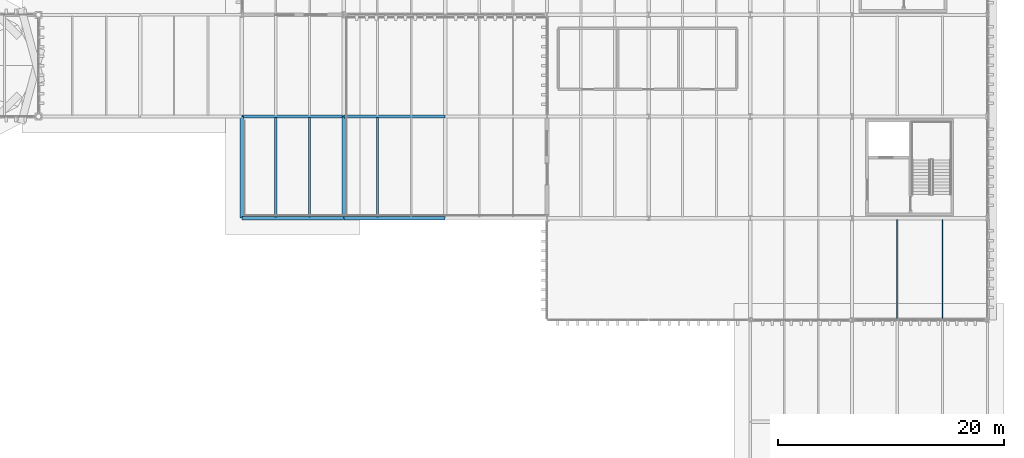
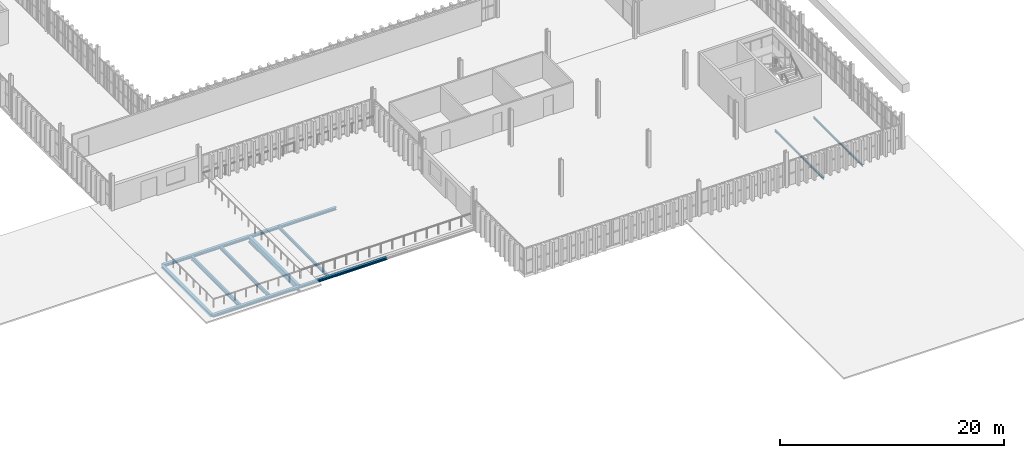
# One storey, part 31 of 102: 11 beams.
"""IFC4 building model written with IfcOpenShell, lengths in metres."""

import ifcopenshell
import ifcopenshell.guid

model = None  # the IFC model being written
_history = None  # IfcOwnerHistory: only IFC2X3 demands one
_inside = {}  # id of a spatial element -> (the spatial element, [elements in it])
_under = {}  # id of a project, library or spatial element -> (it, [spatial elements below it])
_declared = {}  # id of a project -> (the project, [libraries it declares])
_typed = {}  # id of a type object -> (the type object, [elements of that type])
_made_of = {}  # id of a material, layer set ... -> (it, [elements and type objects made of it])


def new_model(schema):
    """Start an empty IFC model of exactly this schema.

    Asked for "IFC4X3", IfcOpenShell would pick the latest addendum, in which some entities
    have other attributes; the version numbers below select the first issue.
    IFC2X3 requires an IfcOwnerHistory on every rooted entity: one is made here for all.
    """
    global model, _history
    if schema == "IFC4X3":
        model = ifcopenshell.file(schema_version=(4, 3, 0, 0))
    else:
        model = ifcopenshell.file(schema=schema)
    _inside.clear()
    _under.clear()
    _declared.clear()
    _typed.clear()
    _made_of.clear()
    _history = None
    if model.schema == "IFC2X3":
        org = make("IfcOrganization", Name="unknown")
        user = make(
            "IfcPersonAndOrganization",
            ThePerson=make("IfcPerson", FamilyName="unknown"),
            TheOrganization=org,
        )
        app = make(
            "IfcApplication",
            ApplicationDeveloper=org,
            Version="unknown",
            ApplicationFullName="unknown",
            ApplicationIdentifier="unknown",
        )
        _history = make(
            "IfcOwnerHistory",
            OwningUser=user,
            OwningApplication=app,
            ChangeAction="ADDED",
            CreationDate=0,
        )
    return model


def make(cls, **values):
    """One entity of the class cls with the attributes given. An attribute that is None is left unset."""
    return model.create_entity(
        cls, **{name: value for name, value in values.items() if value is not None}
    )


def rooted(cls, **values):
    """An entity with a GlobalId (a new one), such as an element, a storey or a relation."""
    return make(cls, GlobalId=ifcopenshell.guid.new(), OwnerHistory=_history, **values)


def si_unit(unit_type, name, prefix=None):
    """IfcSIUnit, for example si_unit("LENGTHUNIT", "METRE", prefix="MILLI")."""
    return make("IfcSIUnit", UnitType=unit_type, Prefix=prefix, Name=name)


def assignment(units):
    """IfcUnitAssignment: the units of a project."""
    return None if units is None else make("IfcUnitAssignment", Units=units)


def point(xyz):
    """IfcCartesianPoint."""
    return None if xyz is None else make("IfcCartesianPoint", Coordinates=xyz)


def direction(xyz):
    """IfcDirection."""
    return None if xyz is None else make("IfcDirection", DirectionRatios=xyz)


def frame(location, z_axis=None, x_axis=None):
    """IfcAxis2Placement3D, a coordinate frame: its origin and axes. An axis left out is left unset."""
    return make(
        "IfcAxis2Placement3D",
        Location=point(location),
        Axis=direction(z_axis),
        RefDirection=direction(x_axis),
    )


def frame_2d(location, x_axis=None):
    """IfcAxis2Placement2D, a coordinate frame in the plane: its origin and x axis."""
    return make(
        "IfcAxis2Placement2D", Location=point(location), RefDirection=direction(x_axis)
    )


def origin():
    """The frame at (0, 0, 0) with its axes left unset."""
    return frame((0.0, 0.0, 0.0))


def origin_2d():
    """The frame at (0, 0) in the plane with its x axis left unset."""
    return frame_2d((0.0, 0.0))


def place(relative_to, where):
    """IfcLocalPlacement: puts the frame where relative to a parent placement (None: the world)."""
    return make(
        "IfcLocalPlacement", PlacementRelTo=relative_to, RelativePlacement=where
    )


def context(
    kind, dimensions, precision=None, world=None, true_north=None, identifier=None
):
    """IfcGeometricRepresentationContext, for example the 3D "Model" context."""
    return make(
        "IfcGeometricRepresentationContext",
        ContextIdentifier=identifier,
        ContextType=kind,
        CoordinateSpaceDimension=dimensions,
        Precision=precision,
        WorldCoordinateSystem=world,
        TrueNorth=true_north,
    )


def subcontext(parent, identifier, kind, view, scale=None):
    """IfcGeometricRepresentationSubContext, for example "Body" below "Model"."""
    return make(
        "IfcGeometricRepresentationSubContext",
        ContextIdentifier=identifier,
        ContextType=kind,
        ParentContext=parent,
        TargetScale=scale,
        TargetView=view,
    )


def project(units=None, contexts=None):
    """IfcProject with its units and contexts."""
    return rooted(
        "IfcProject",
        Name="project",
        RepresentationContexts=contexts,
        UnitsInContext=assignment(units),
    )


def spatial(cls, under=None, at=None, **own):
    """A site, building, storey or space (cls), placed at a placement, below another one or the project."""
    s = rooted(cls, ObjectPlacement=at, **own)
    if under is not None:
        _under.setdefault(under.id(), (under, []))[1].append(s)
    return s


def profile(cls, at=None, kind="AREA", **sizes):
    """A parametric profile (cls). Its sizes go by their IFC names, for example OverallWidth=200.0."""
    return make(cls, ProfileType=kind, Position=at, **sizes)


def i_section(**sizes):
    """IfcIShapeProfileDef."""
    return profile("IfcIShapeProfileDef", **sizes)


def extrude(swept, where, along, depth):
    """IfcExtrudedAreaSolid: the profile swept, set in the frame where, extruded along a direction by depth."""
    return make(
        "IfcExtrudedAreaSolid",
        SweptArea=swept,
        Position=where,
        ExtrudedDirection=direction(along),
        Depth=depth,
    )


def shape(context_of_items, identifier, shape_type, items):
    """IfcShapeRepresentation: the items that make up one representation, for example the "Body"."""
    return make(
        "IfcShapeRepresentation",
        ContextOfItems=context_of_items,
        RepresentationIdentifier=identifier,
        RepresentationType=shape_type,
        Items=items,
    )


def material(Name=None, Category=None):
    """IfcMaterial."""
    return make("IfcMaterial", Name=Name, Category=Category)


def material_profile(
    of_material, cross_section, Name=None, Category=None, Priority=None
):
    """IfcMaterialProfile: a cross section and its material."""
    return make(
        "IfcMaterialProfile",
        Name=Name,
        Material=of_material,
        Profile=cross_section,
        Priority=Priority,
        Category=Category,
    )


def profile_set(profiles, Name=None, composite=None):
    """IfcMaterialProfileSet."""
    return make(
        "IfcMaterialProfileSet",
        Name=Name,
        MaterialProfiles=profiles,
        CompositeProfile=composite,
    )


def made_of(thing, what):
    """Note that an element or type object is made of a material, layer set ...; save() writes the relation."""
    if what is not None:
        _made_of.setdefault(what.id(), (what, []))[1].append(thing)
    return thing


def type_object(cls, material=None, **own):
    """A type object (cls), such as IfcWallType, which elements share."""
    return made_of(rooted(cls, **own), material)


def element(
    cls,
    number,
    at=None,
    inside=None,
    cuts=None,
    type_object=None,
    material=None,
    context=None,
    identifier="Body",
    shape_type=None,
    held_by="IfcProductDefinitionShape",
    body=None,
    shapes=None,
    **own,
):
    """One element of the class cls, such as IfcWall. Its Tag is "e" and its number.

    at: its placement. inside: the storey or other place that contains it. cuts: it is an
    opening in that element (IfcRelVoidsElement). A single representation is given by context,
    identifier, shape_type and body (its items); several are given by shapes. held_by: the class
    of the entity that holds the representations. save() writes the other relations.
    """
    e = rooted(cls, Tag="e%d" % number, ObjectPlacement=at, **own)
    if body is not None:
        shapes = [shape(context, identifier, shape_type, body)]
    if shapes is not None:
        e.Representation = make(held_by, Representations=shapes)
    if inside is not None:
        _inside.setdefault(inside.id(), (inside, []))[1].append(e)
    if cuts is not None:
        rooted(
            "IfcRelVoidsElement", RelatingBuildingElement=cuts, RelatedOpeningElement=e
        )
    if type_object is not None:
        _typed.setdefault(type_object.id(), (type_object, []))[1].append(e)
    return made_of(e, material)


def aggregate(whole, parts):
    """IfcRelAggregates: a whole, such as a stair, and the parts it consists of."""
    return rooted("IfcRelAggregates", RelatingObject=whole, RelatedObjects=parts)


def save(model, path):
    """Write the relations noted so far, then the file.

    IfcRelAggregates (storeys below a building ...), IfcRelContainedInSpatialStructure (elements
    in a storey), IfcRelDefinesByType, IfcRelAssociatesMaterial and IfcRelDeclares: one each for
    every whole, place, type object, material and project.
    """
    for whole, parts in _under.values():
        aggregate(whole, parts)
    for where, things in _inside.values():
        rooted(
            "IfcRelContainedInSpatialStructure",
            RelatedElements=things,
            RelatingStructure=where,
        )
    for kind, things in _typed.values():
        rooted("IfcRelDefinesByType", RelatedObjects=things, RelatingType=kind)
    for what, things in _made_of.values():
        rooted("IfcRelAssociatesMaterial", RelatedObjects=things, RelatingMaterial=what)
    for by, libraries in _declared.values():
        rooted("IfcRelDeclares", RelatingContext=by, RelatedDefinitions=libraries)
    model.write(path)


model = new_model("IFC4")

# Units and contexts
model_context = context("Model", 3, precision=1e-05, world=origin(), true_north=direction((0.0, 1.0)))
body_context = subcontext(model_context, "Body", "Model", "MODEL_VIEW")
ifc_project = project(units=[si_unit("LENGTHUNIT", "METRE"), si_unit("AREAUNIT", "SQUARE_METRE"), si_unit("VOLUMEUNIT", "CUBIC_METRE"), si_unit("PLANEANGLEUNIT", "RADIAN"), si_unit("MASSUNIT", "GRAM", prefix="KILO")], contexts=[model_context])

# Site, building, storey
site_placement = place(None, origin())
site = spatial("IfcSite", under=ifc_project, at=site_placement, CompositionType="ELEMENT")
building_placement = place(site_placement, origin())
building = spatial("IfcBuilding", under=site, at=building_placement, Name="Barlavento Convention Centre", CompositionType="ELEMENT")
storey_placement = place(building_placement, frame((0.0, 0.0, 22.800048828125)))
storey = spatial("IfcBuildingStorey", under=building, at=storey_placement, Name="L04", CompositionType="ELEMENT", Elevation=22.800048828125)

# Beams
ifc_material = material(Name="Steel S355", Category="steel")
ifc_material_profile_1 = material_profile(ifc_material, i_section(OverallWidth=0.110107421875, OverallDepth=0.219970703125, WebThickness=0.005859375, FlangeThickness=0.00927734375, FilletRadius=0.011962890625, at=origin_2d()), Name="IPE 220")
ifc_profile_set_1 = profile_set([ifc_material_profile_1], Name="Steel S355")
beam_type_1 = type_object("IfcBeamType", Name="STR-BM-JST-IPE220", PredefinedType="JOIST", material=ifc_profile_set_1)
beam_1_placement = place(storey_placement, frame((188.0, 27.094970703125, -0.47509765625), z_axis=(0.0, 1.0, 0.0), x_axis=(-1.0, 0.0, 0.0)))
element("IfcBeam", 1, at=beam_1_placement, inside=storey, type_object=beam_type_1, Name="L04 composite floor joist SJ10", PredefinedType="JOIST", context=body_context, shape_type="SweptSolid", body=[
    extrude(i_section(OverallWidth=0.110107421875, OverallDepth=0.219970703125, WebThickness=0.005859375, FlangeThickness=0.00927734375, FilletRadius=0.011962890625, at=origin_2d()), origin(), (0.0, 0.0, 1.0), 8.81005859375),
])
ifc_material_profile_2 = material_profile(ifc_material, i_section(OverallWidth=0.1201171875, OverallDepth=0.239990234375, WebThickness=0.006103515625, FlangeThickness=0.009765625, FilletRadius=0.014892578125, at=origin_2d()), Name="IPE 240")
ifc_profile_set_2 = profile_set([ifc_material_profile_2], Name="Steel S355")
beam_type_2 = type_object("IfcBeamType", Name="STR-BM-JST-IPE240", PredefinedType="JOIST", material=ifc_profile_set_2)
beam_2_placement = place(storey_placement, frame((184.0, 27.094970703125, -0.485107421875), z_axis=(0.0, 1.0, 0.0), x_axis=(-1.0, 0.0, 0.0)))
element("IfcBeam", 2, at=beam_2_placement, inside=storey, type_object=beam_type_2, Name="L04 composite floor joist SJ09", PredefinedType="JOIST", context=body_context, shape_type="SweptSolid", body=[
    extrude(i_section(OverallWidth=0.1201171875, OverallDepth=0.239990234375, WebThickness=0.006103515625, FlangeThickness=0.009765625, FilletRadius=0.014892578125, at=origin_2d()), origin(), (0.0, 0.0, 1.0), 8.81005859375),
])
ifc_material_profile_3 = material_profile(ifc_material, i_section(OverallWidth=0.159912109375, OverallDepth=0.330078125, WebThickness=0.007568359375, FlangeThickness=0.011474609375, FilletRadius=0.01806640625, at=origin_2d()), Name="IPE 330")
ifc_profile_set_3 = profile_set([ifc_material_profile_3], Name="Steel S355")
beam_type_3 = type_object("IfcBeamType", Name="STR-BM-JST-IPE330", PredefinedType="JOIST", material=ifc_profile_set_3)
beam_3_placement = place(storey_placement, frame((138.0, 36.094970703125, -0.425048828125), z_axis=(0.0, 1.0, 0.0), x_axis=(-1.0, 0.0, 0.0)))
element("IfcBeam", 3, at=beam_3_placement, inside=storey, type_object=beam_type_3, Name="L04 composite floor joist SJ06", PredefinedType="JOIST", context=body_context, shape_type="SweptSolid", body=[
    extrude(i_section(OverallWidth=0.159912109375, OverallDepth=0.330078125, WebThickness=0.007568359375, FlangeThickness=0.011474609375, FilletRadius=0.01806640625, at=origin_2d()), origin(), (0.0, 0.0, 1.0), 8.81005859375),
])
ifc_material_profile_4 = material_profile(ifc_material, i_section(OverallWidth=0.179931640625, OverallDepth=0.39990234375, WebThickness=0.008544921875, FlangeThickness=0.013427734375, FilletRadius=0.02099609375, at=origin_2d()), Name="IPE 400")
ifc_profile_set_4 = profile_set([ifc_material_profile_4], Name="Steel S355")
beam_type_4 = type_object("IfcBeamType", Name="STR-BM-JST-IPE400", PredefinedType="JOIST", material=ifc_profile_set_4)
beam_4_placement = place(storey_placement, frame((132.0, 36.094970703125, -0.545166015625), z_axis=(0.0, 1.0, 0.0), x_axis=(-1.0, 0.0, 0.0)))
element("IfcBeam", 4, at=beam_4_placement, inside=storey, type_object=beam_type_4, Name="L04 composite floor joist SJ04", PredefinedType="JOIST", context=body_context, shape_type="SweptSolid", body=[
    extrude(i_section(OverallWidth=0.179931640625, OverallDepth=0.39990234375, WebThickness=0.008544921875, FlangeThickness=0.013427734375, FilletRadius=0.02099609375, at=origin_2d()), origin(), (0.0, 0.0, 1.0), 8.81005859375),
])
ifc_material_profile_5 = material_profile(ifc_material, i_section(OverallWidth=0.18994140625, OverallDepth=0.449951171875, WebThickness=0.009521484375, FlangeThickness=0.0146484375, FilletRadius=0.02099609375, at=origin_2d()), Name="IPE 450")
ifc_profile_set_5 = profile_set([ifc_material_profile_5], Name="Steel S355")
beam_type_5 = type_object("IfcBeamType", Name="STR-BM-JST-IPE450", PredefinedType="JOIST", material=ifc_profile_set_5)
beam_5_placement = place(storey_placement, frame((129.0, 36.094970703125, -0.570068359375), z_axis=(0.0, 1.0, 0.0), x_axis=(-1.0, 0.0, 0.0)))
element("IfcBeam", 5, at=beam_5_placement, inside=storey, type_object=beam_type_5, Name="L04 composite floor joist SJ03", PredefinedType="JOIST", context=body_context, shape_type="SweptSolid", body=[
    extrude(i_section(OverallWidth=0.18994140625, OverallDepth=0.449951171875, WebThickness=0.009521484375, FlangeThickness=0.0146484375, FilletRadius=0.02099609375, at=origin_2d()), origin(), (0.0, 0.0, 1.0), 8.81005859375),
])
ifc_material_profile_6 = material_profile(ifc_material, i_section(OverallWidth=0.300048828125, OverallDepth=0.639892578125, WebThickness=0.013427734375, FlangeThickness=0.02587890625, FilletRadius=0.027099609375, at=origin_2d()), Name="HEA 650")
ifc_profile_set_6 = profile_set([ifc_material_profile_6], Name="Steel S355")
beam_type_6 = type_object("IfcBeamType", Name="STR-BM-PRI-HEA650", PredefinedType="BEAM", material=ifc_profile_set_6)
beam_6_placement = place(storey_placement, frame((135.0, 36.02001953125, -0.6650390625), z_axis=(0.0, 1.0, 0.0), x_axis=(-1.0, 0.0, 0.0)))
element("IfcBeam", 6, at=beam_6_placement, inside=storey, type_object=beam_type_6, Name="L04 grid girder BG17", PredefinedType="BEAM", context=body_context, shape_type="SweptSolid", body=[
    extrude(i_section(OverallWidth=0.300048828125, OverallDepth=0.639892578125, WebThickness=0.013427734375, FlangeThickness=0.02587890625, FilletRadius=0.027099609375, at=origin_2d()), origin(), (0.0, 0.0, 1.0), 8.9599609375),
])
ifc_material_profile_7 = material_profile(ifc_material, i_section(OverallWidth=0.280029296875, OverallDepth=0.280029296875, WebThickness=0.010498046875, FlangeThickness=0.01806640625, FilletRadius=0.02392578125, at=origin_2d()), Name="HEB 280")
ifc_profile_set_7 = profile_set([ifc_material_profile_7], Name="Steel S355")
beam_type_7 = type_object("IfcBeamType", Name="STR-BM-PRI-HEB280", PredefinedType="BEAM", material=ifc_profile_set_7)
beam_7_placement = place(storey_placement, frame((135.02001953125, 45.0, -0.485107421875), z_axis=(1.0, 0.0, 0.0), x_axis=(0.0, 1.0, 0.0)))
element("IfcBeam", 7, at=beam_7_placement, inside=storey, type_object=beam_type_7, Name="L04 primary girder BG15", PredefinedType="BEAM", context=body_context, shape_type="SweptSolid", body=[
    extrude(i_section(OverallWidth=0.280029296875, OverallDepth=0.280029296875, WebThickness=0.010498046875, FlangeThickness=0.01806640625, FilletRadius=0.02392578125, at=origin_2d()), origin(), (0.0, 0.0, 1.0), 8.9599609375),
])
ifc_material_profile_8 = material_profile(ifc_material, i_section(OverallWidth=0.300048828125, OverallDepth=0.300048828125, WebThickness=0.010986328125, FlangeThickness=0.01904296875, FilletRadius=0.027099609375, at=origin_2d()), Name="HEB 300")
ifc_profile_set_8 = profile_set([ifc_material_profile_8], Name="Steel S355")
beam_type_8 = type_object("IfcBeamType", Name="STR-BM-PRI-HEB300", PredefinedType="BEAM", material=ifc_profile_set_8)
beam_8_placement = place(storey_placement, frame((126.02001953125, 45.0, -0.4951171875), z_axis=(1.0, 0.0, 0.0), x_axis=(0.0, 1.0, 0.0)))
element("IfcBeam", 8, at=beam_8_placement, inside=storey, type_object=beam_type_8, Name="L04 primary girder BG14", PredefinedType="BEAM", context=body_context, shape_type="SweptSolid", body=[
    extrude(i_section(OverallWidth=0.300048828125, OverallDepth=0.300048828125, WebThickness=0.010986328125, FlangeThickness=0.01904296875, FilletRadius=0.027099609375, at=origin_2d()), origin(), (0.0, 0.0, 1.0), 8.9599609375),
])
ifc_material_profile_9 = material_profile(ifc_material, i_section(OverallWidth=0.280029296875, OverallDepth=0.27001953125, WebThickness=0.008056640625, FlangeThickness=0.012939453125, FilletRadius=0.02392578125, at=origin_2d()), Name="HEA 280")
ifc_profile_set_9 = profile_set([ifc_material_profile_9], Name="Steel S355")
beam_type_9 = type_object("IfcBeamType", Name="STR-BM-SPN-HEA280", PredefinedType="SPANDREL", material=ifc_profile_set_9)
beam_9_placement = place(storey_placement, frame((135.02001953125, 36.0, -0.47998046875), z_axis=(1.0, 0.0, 0.0), x_axis=(0.0, 1.0, 0.0)))
element("IfcBeam", 9, at=beam_9_placement, inside=storey, type_object=beam_type_9, Name="L04 primary girder SP03", PredefinedType="SPANDREL", context=body_context, shape_type="SweptSolid", body=[
    extrude(i_section(OverallWidth=0.280029296875, OverallDepth=0.27001953125, WebThickness=0.008056640625, FlangeThickness=0.012939453125, FilletRadius=0.02392578125, at=origin_2d()), origin(), (0.0, 0.0, 1.0), 8.9599609375),
])
ifc_material_profile_10 = material_profile(ifc_material, i_section(OverallWidth=0.300048828125, OverallDepth=0.2900390625, WebThickness=0.008544921875, FlangeThickness=0.013916015625, FilletRadius=0.027099609375, at=origin_2d()), Name="HEA 300")
ifc_profile_set_10 = profile_set([ifc_material_profile_10], Name="Steel S355")
beam_type_10 = type_object("IfcBeamType", Name="STR-BM-SPN-HEA300", PredefinedType="SPANDREL", material=ifc_profile_set_10)
for number, where, z_axis, x_axis, name in (
    (10, (126.02001953125, 36.0, -0.489990234375), (1.0, 0.0, 0.0), (0.0, 1.0, 0.0), "L04 primary girder SP02"),
    (11, (126.0, 36.02001953125, -0.489990234375), (0.0, 1.0, 0.0), (-1.0, 0.0, 0.0), "L04 grid girder SP02"),
):
    element("IfcBeam", number, at=place(storey_placement, frame(where, z_axis=z_axis, x_axis=x_axis)), inside=storey, type_object=beam_type_10, Name=name, PredefinedType="SPANDREL", context=body_context, shape_type="SweptSolid", body=[
        extrude(i_section(OverallWidth=0.300048828125, OverallDepth=0.2900390625, WebThickness=0.008544921875, FlangeThickness=0.013916015625, FilletRadius=0.027099609375, at=origin_2d()), origin(), (0.0, 0.0, 1.0), 8.9599609375),
    ])

save(model, "model.ifc")
